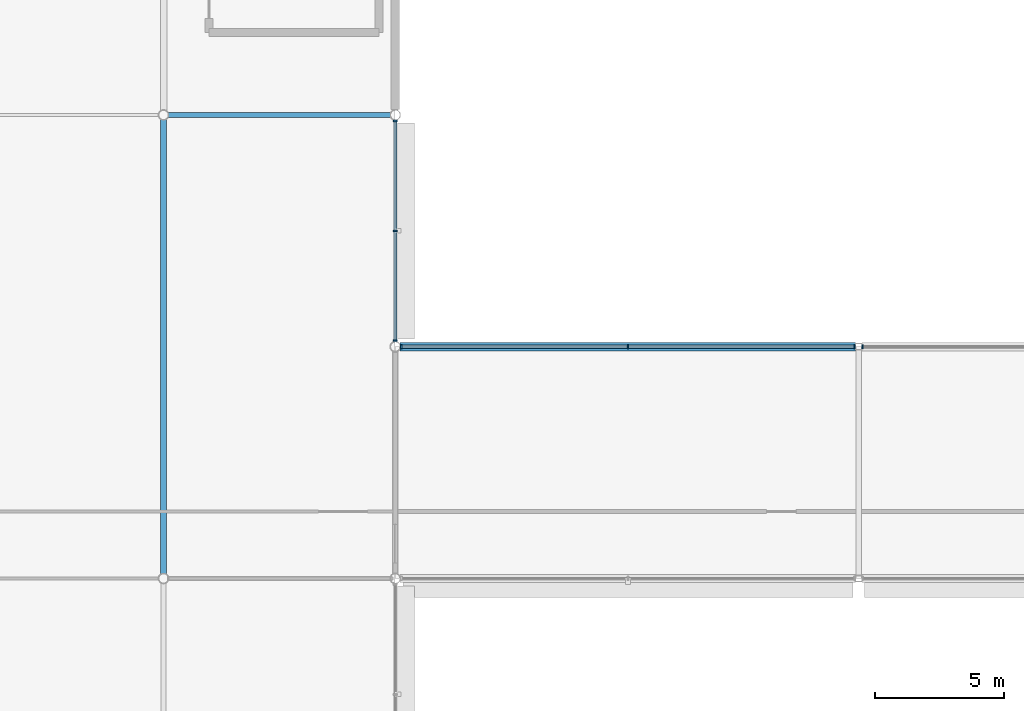
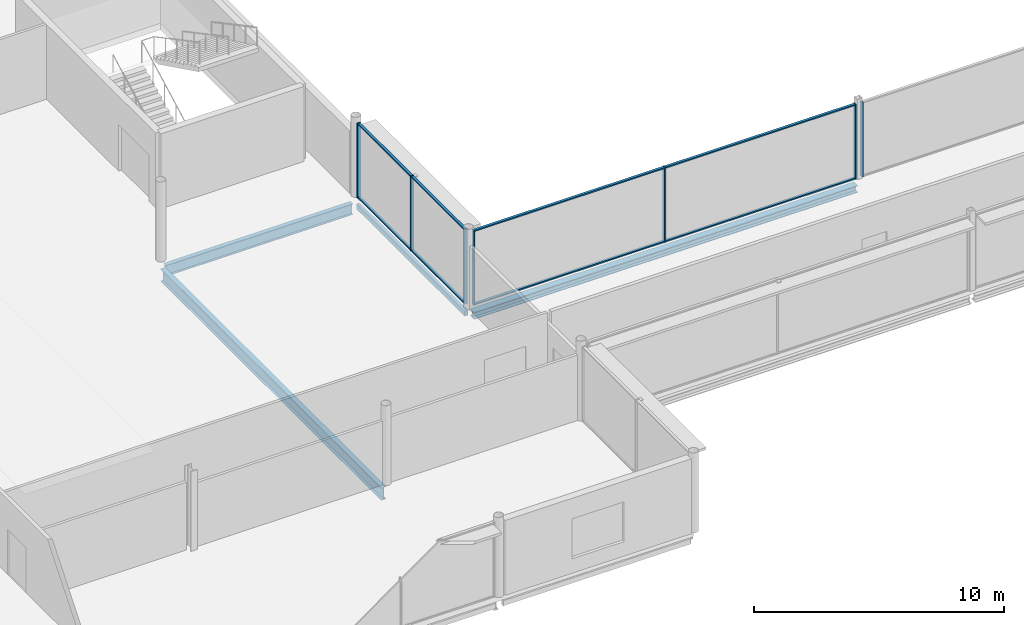
# One storey, part 21 of 96: 15 members, 4 beams, 3 elements without a shape of their own.
"""IFC4 building model written with IfcOpenShell, lengths in metres."""

from ifc_helpers import new_model, si_unit, direction, frame, origin, origin_2d, place, context, subcontext, project, spatial, rectangle, hollow_rectangle, i_section, extrude, material, layer, layer_set, material_profile, profile_set, type_object, element, aggregate, save


model = new_model("IFC4")

# Units and contexts
model_context = context("Model", 3, precision=1e-05, world=origin(), true_north=direction((0.0, 1.0)))
body_context = subcontext(model_context, "Body", "Model", "MODEL_VIEW")
ifc_project = project(units=[si_unit("LENGTHUNIT", "METRE"), si_unit("AREAUNIT", "SQUARE_METRE"), si_unit("VOLUMEUNIT", "CUBIC_METRE"), si_unit("PLANEANGLEUNIT", "RADIAN"), si_unit("MASSUNIT", "GRAM", prefix="KILO")], contexts=[model_context])

# Site, building, storey
site_placement = place(None, origin())
site = spatial("IfcSite", under=ifc_project, at=site_placement, CompositionType="ELEMENT")
building_placement = place(site_placement, origin())
building = spatial("IfcBuilding", under=site, at=building_placement, Name="Kisiwana Market Hall", CompositionType="ELEMENT")
storey_placement = place(building_placement, frame((0.0, 0.0, 25.5)))
storey = spatial("IfcBuildingStorey", under=building, at=storey_placement, Name="L05", CompositionType="ELEMENT", Elevation=25.5)

# Beams
ifc_material_1 = material(Name="Steel S355", Category="steel")
ifc_material_profile_1 = material_profile(ifc_material_1, i_section(OverallWidth=0.209228515625, OverallDepth=0.533203125, WebThickness=0.010009765625, FlangeThickness=0.015625, at=origin_2d()), Name="UB 533x210x92")
ifc_profile_set_1 = profile_set([ifc_material_profile_1], Name="Steel S355")
beam_type_1 = type_object("IfcBeamType", Name="BM-GIRD-UB533", PredefinedType="BEAM", material=ifc_profile_set_1)
beam_1_placement = place(storey_placement, frame((36.182373046875, 36.0, -0.58154296875), z_axis=(1.0, 0.0, 0.0), x_axis=(0.0, 1.0, 0.0)))
element("IfcBeam", 1, at=beam_1_placement, inside=storey, type_object=beam_type_1, Name="Floor beam B-1626", PredefinedType="BEAM", context=body_context, shape_type="SweptSolid", body=[
    extrude(i_section(OverallWidth=0.209228515625, OverallDepth=0.533203125, WebThickness=0.010009765625, FlangeThickness=0.015625, at=origin_2d()), origin(), (0.0, 0.0, 1.0), 8.63525390625),
])
ifc_material_2 = material(Name="Steel S355", Category="steel")
ifc_material_profile_2 = material_profile(ifc_material_2, i_section(OverallWidth=0.22900390625, OverallDepth=0.6123046875, WebThickness=0.011962890625, FlangeThickness=0.01953125, at=origin_2d()), Name="UB 610x229x125")
ifc_profile_set_2 = profile_set([ifc_material_profile_2], Name="Steel S355")
beam_type_2 = type_object("IfcBeamType", Name="BM-GIRD-UB610H", PredefinedType="BEAM", material=ifc_profile_set_2)
beam_2_placement = place(storey_placement, frame((36.0, 18.18017578125, -0.62109375), z_axis=(0.0, 1.0, 0.0), x_axis=(-1.0, 0.0, 0.0)))
element("IfcBeam", 2, at=beam_2_placement, inside=storey, type_object=beam_type_2, Name="Primary girder B-1532", PredefinedType="BEAM", context=body_context, shape_type="SweptSolid", body=[
    extrude(i_section(OverallWidth=0.22900390625, OverallDepth=0.6123046875, WebThickness=0.011962890625, FlangeThickness=0.01953125, at=origin_2d()), origin(), (0.0, 0.0, 1.0), 17.6396484375),
])
ifc_material_3 = material(Name="Steel S355", Category="steel")
ifc_material_profile_3 = material_profile(ifc_material_3, i_section(OverallWidth=0.314453125, OverallDepth=0.33984375, WebThickness=0.01904296875, FlangeThickness=0.031494140625, at=origin_2d()), Name="UC 305x305x198")
ifc_profile_set_3 = profile_set([ifc_material_profile_3], Name="Steel S355")
beam_type_3 = type_object("IfcBeamType", Name="BM-SKYBR-CHORD", PredefinedType="BEAM", material=ifc_profile_set_3)
beam_3_placement = place(storey_placement, frame((45.182373046875, 27.0, -0.43505859375), z_axis=(1.0, 0.0, 0.0), x_axis=(0.0, 1.0, 0.0)))
element("IfcBeam", 3, at=beam_3_placement, inside=storey, type_object=beam_type_3, Name="Floor beam B-1617", PredefinedType="BEAM", context=body_context, shape_type="SweptSolid", body=[
    extrude(i_section(OverallWidth=0.314453125, OverallDepth=0.33984375, WebThickness=0.01904296875, FlangeThickness=0.031494140625, at=origin_2d()), origin(), (0.0, 0.0, 1.0), 17.696533203125),
])
ifc_material_4 = material(Name="Steel S355", Category="steel")
ifc_material_profile_4 = material_profile(ifc_material_4, hollow_rectangle(XDim=0.14990234375, YDim=0.25, WallThickness=0.010009765625, at=origin_2d()), Name="RHS 250x150x10.0")
ifc_profile_set_4 = profile_set([ifc_material_profile_4], Name="Steel S355")
beam_type_4 = type_object("IfcBeamType", Name="BM-SPAN-RHS250", PredefinedType="SPANDREL", material=ifc_profile_set_4)
beam_4_placement = place(storey_placement, frame((45.0, 27.18017578125, -0.43994140625), z_axis=(0.0, 1.0, 0.0), x_axis=(-1.0, 0.0, 0.0)))
element("IfcBeam", 4, at=beam_4_placement, inside=storey, type_object=beam_type_4, Name="Floor beam B-1678", PredefinedType="SPANDREL", context=body_context, shape_type="SweptSolid", body=[
    extrude(hollow_rectangle(XDim=0.14990234375, YDim=0.25, WallThickness=0.010009765625, at=origin_2d()), origin(), (0.0, 0.0, 1.0), 8.6396484375),
])

# Curtain wall, members
ifc_material_5 = material(Name="Double-glazed solar-control low-E IGU", Category="glass")
ifc_layer = layer(ifc_material_5, 0.159912109375)
ifc_layer_set = layer_set([ifc_layer], Name="CW-ZNA-EW-8200")
curtain_wall_type = type_object("IfcCurtainWallType", Name="CW-ZNA-EW-8200", PredefinedType="USERDEFINED", material=ifc_layer_set)
curtain_wall_1_placement = place(storey_placement, origin())
curtain_wall_1 = element("IfcCurtainWall", 5, at=curtain_wall_1_placement, inside=storey, type_object=curtain_wall_type, Name="Unitised curtain wall CW-138 (L05)", ObjectType="UNITISED CURTAIN WALL", PredefinedType="USERDEFINED")
ifc_material_6 = material(Name="Aluminium alloy 6063-T6", Category="aluminium")
ifc_material_profile_5 = material_profile(ifc_material_6, rectangle(XDim=0.06005859375, YDim=0.159912109375, at=origin_2d()), Name="ALU MULLION 60x160")
ifc_profile_set_5 = profile_set([ifc_material_profile_5], Name="Aluminium alloy 6063-T6")
member_type_1 = type_object("IfcMemberType", Name="CW-MULL-60x160", PredefinedType="MULLION", material=ifc_profile_set_5)
member_1_placement = place(storey_placement, frame((45.233154296875, 27.0, 0.0), z_axis=(0.0, 0.0, 1.0), x_axis=(1.0, 0.0, 0.0)))
member_1 = element("IfcMember", 6, at=member_1_placement, type_object=member_type_1, Name="CW-138 mullion 1", PredefinedType="MULLION", context=body_context, shape_type="SweptSolid", body=[
    extrude(rectangle(XDim=0.06005859375, YDim=0.159912109375, at=origin_2d()), origin(), (0.0, 0.0, 1.0), 3.655029296875),
])
member_2_placement = place(storey_placement, frame((54.0390625, 27.0, 0.0), z_axis=(0.0, 0.0, 1.0), x_axis=(1.0, 0.0, 0.0)))
member_2 = element("IfcMember", 7, at=member_2_placement, type_object=member_type_1, Name="CW-138 mullion 2", PredefinedType="MULLION", context=body_context, shape_type="SweptSolid", body=[
    extrude(rectangle(XDim=0.06005859375, YDim=0.159912109375, at=origin_2d()), origin(), (0.0, 0.0, 1.0), 3.655029296875),
])
member_3_placement = place(storey_placement, frame((62.844970703125, 27.0, 0.0), z_axis=(0.0, 0.0, 1.0), x_axis=(1.0, 0.0, 0.0)))
member_3 = element("IfcMember", 8, at=member_3_placement, type_object=member_type_1, Name="CW-138 mullion 3", PredefinedType="MULLION", context=body_context, shape_type="SweptSolid", body=[
    extrude(rectangle(XDim=0.06005859375, YDim=0.159912109375, at=origin_2d()), origin(), (0.0, 0.0, 1.0), 3.655029296875),
])

# Curtain wall, member
curtain_wall_2_placement = place(storey_placement, origin())
curtain_wall_2 = element("IfcCurtainWall", 9, at=curtain_wall_2_placement, inside=storey, type_object=curtain_wall_type, Name="Unitised curtain wall CW-139 (L05)", ObjectType="UNITISED CURTAIN WALL", PredefinedType="USERDEFINED")
member_4_placement = place(storey_placement, frame((63.155029296875, 27.0, 0.0), z_axis=(0.0, 0.0, 1.0), x_axis=(1.0, 0.0, 0.0)))
member_4 = element("IfcMember", 10, at=member_4_placement, type_object=member_type_1, Name="CW-139 mullion 1", PredefinedType="MULLION", context=body_context, shape_type="SweptSolid", body=[
    extrude(rectangle(XDim=0.06005859375, YDim=0.159912109375, at=origin_2d()), origin(), (0.0, 0.0, 1.0), 3.655029296875),
])
aggregate(curtain_wall_2, [member_4])

# Curtain wall, members
curtain_wall_3_placement = place(storey_placement, origin())
curtain_wall_3 = element("IfcCurtainWall", 11, at=curtain_wall_3_placement, inside=storey, type_object=curtain_wall_type, Name="Unitised curtain wall CW-161 (L05)", ObjectType="UNITISED CURTAIN WALL", PredefinedType="USERDEFINED")
member_5_placement = place(storey_placement, frame((45.0, 27.233154296875, 0.0), z_axis=(0.0, 0.0, 1.0), x_axis=(0.0, 1.0, 0.0)))
member_5 = element("IfcMember", 12, at=member_5_placement, type_object=member_type_1, Name="CW-161 mullion 1", PredefinedType="MULLION", context=body_context, shape_type="SweptSolid", body=[
    extrude(rectangle(XDim=0.06005859375, YDim=0.159912109375, at=origin_2d()), origin(), (0.0, 0.0, 1.0), 3.655029296875),
])
member_6_placement = place(storey_placement, frame((45.0, 31.5, 0.0), z_axis=(0.0, 0.0, 1.0), x_axis=(0.0, 1.0, 0.0)))
member_6 = element("IfcMember", 13, at=member_6_placement, type_object=member_type_1, Name="CW-161 mullion 2", PredefinedType="MULLION", context=body_context, shape_type="SweptSolid", body=[
    extrude(rectangle(XDim=0.06005859375, YDim=0.159912109375, at=origin_2d()), origin(), (0.0, 0.0, 1.0), 3.655029296875),
])
member_7_placement = place(storey_placement, frame((45.0, 35.766845703125, 0.0), z_axis=(0.0, 0.0, 1.0), x_axis=(0.0, 1.0, 0.0)))
member_7 = element("IfcMember", 14, at=member_7_placement, type_object=member_type_1, Name="CW-161 mullion 3", PredefinedType="MULLION", context=body_context, shape_type="SweptSolid", body=[
    extrude(rectangle(XDim=0.06005859375, YDim=0.159912109375, at=origin_2d()), origin(), (0.0, 0.0, 1.0), 3.655029296875),
])

# Member
ifc_material_7 = material(Name="Aluminium alloy 6063-T6", Category="aluminium")
ifc_material_profile_6 = material_profile(ifc_material_7, rectangle(XDim=0.1201171875, YDim=0.06005859375, at=origin_2d()), Name="ALU TRANSOM 60x120")
ifc_profile_set_6 = profile_set([ifc_material_profile_6], Name="Aluminium alloy 6063-T6")
member_type_2 = type_object("IfcMemberType", Name="CW-TRAN-60x120", PredefinedType="USERDEFINED", material=ifc_profile_set_6)
member_8_placement = place(storey_placement, frame((45.26318359375, 27.0, 0.030029296875), z_axis=(1.0, 0.0, 0.0), x_axis=(0.0, 1.0, 0.0)))
member_8 = element("IfcMember", 15, at=member_8_placement, type_object=member_type_2, Name="CW-138 transom 1.1", ObjectType="TRANSOM", PredefinedType="USERDEFINED", context=body_context, shape_type="SweptSolid", body=[
    extrude(rectangle(XDim=0.1201171875, YDim=0.06005859375, at=origin_2d()), origin(), (0.0, 0.0, 1.0), 8.745849609375),
])

member_9_placement = place(storey_placement, frame((45.26318359375, 27.0, 3.625), z_axis=(1.0, 0.0, 0.0), x_axis=(0.0, 1.0, 0.0)))
member_9 = element("IfcMember", 16, at=member_9_placement, type_object=member_type_2, Name="CW-138 transom 1.2", ObjectType="TRANSOM", PredefinedType="USERDEFINED", context=body_context, shape_type="SweptSolid", body=[
    extrude(rectangle(XDim=0.1201171875, YDim=0.06005859375, at=origin_2d()), origin(), (0.0, 0.0, 1.0), 8.745849609375),
])

member_10_placement = place(storey_placement, frame((54.069091796875, 27.0, 0.030029296875), z_axis=(1.0, 0.0, 0.0), x_axis=(0.0, 1.0, 0.0)))
member_10 = element("IfcMember", 17, at=member_10_placement, type_object=member_type_2, Name="CW-138 transom 2.1", ObjectType="TRANSOM", PredefinedType="USERDEFINED", context=body_context, shape_type="SweptSolid", body=[
    extrude(rectangle(XDim=0.1201171875, YDim=0.06005859375, at=origin_2d()), origin(), (0.0, 0.0, 1.0), 8.745849609375),
])

member_11_placement = place(storey_placement, frame((54.069091796875, 27.0, 3.625), z_axis=(1.0, 0.0, 0.0), x_axis=(0.0, 1.0, 0.0)))
member_11 = element("IfcMember", 18, at=member_11_placement, type_object=member_type_2, Name="CW-138 transom 2.2", ObjectType="TRANSOM", PredefinedType="USERDEFINED", context=body_context, shape_type="SweptSolid", body=[
    extrude(rectangle(XDim=0.1201171875, YDim=0.06005859375, at=origin_2d()), origin(), (0.0, 0.0, 1.0), 8.745849609375),
])

aggregate(curtain_wall_1, [member_1, member_2, member_3, member_8, member_9, member_10, member_11])

member_12_placement = place(storey_placement, frame((45.0, 27.26318359375, 0.030029296875), z_axis=(0.0, 1.0, 0.0), x_axis=(-1.0, 0.0, 0.0)))
member_12 = element("IfcMember", 19, at=member_12_placement, type_object=member_type_2, Name="CW-161 transom 1.1", ObjectType="TRANSOM", PredefinedType="USERDEFINED", context=body_context, shape_type="SweptSolid", body=[
    extrude(rectangle(XDim=0.1201171875, YDim=0.06005859375, at=origin_2d()), origin(), (0.0, 0.0, 1.0), 4.206787109375),
])

member_13_placement = place(storey_placement, frame((45.0, 27.26318359375, 3.625), z_axis=(0.0, 1.0, 0.0), x_axis=(-1.0, 0.0, 0.0)))
member_13 = element("IfcMember", 20, at=member_13_placement, type_object=member_type_2, Name="CW-161 transom 1.2", ObjectType="TRANSOM", PredefinedType="USERDEFINED", context=body_context, shape_type="SweptSolid", body=[
    extrude(rectangle(XDim=0.1201171875, YDim=0.06005859375, at=origin_2d()), origin(), (0.0, 0.0, 1.0), 4.206787109375),
])

member_14_placement = place(storey_placement, frame((45.0, 31.530029296875, 0.030029296875), z_axis=(0.0, 1.0, 0.0), x_axis=(-1.0, 0.0, 0.0)))
member_14 = element("IfcMember", 21, at=member_14_placement, type_object=member_type_2, Name="CW-161 transom 2.1", ObjectType="TRANSOM", PredefinedType="USERDEFINED", context=body_context, shape_type="SweptSolid", body=[
    extrude(rectangle(XDim=0.1201171875, YDim=0.06005859375, at=origin_2d()), origin(), (0.0, 0.0, 1.0), 4.206787109375),
])

member_15_placement = place(storey_placement, frame((45.0, 31.530029296875, 3.625), z_axis=(0.0, 1.0, 0.0), x_axis=(-1.0, 0.0, 0.0)))
member_15 = element("IfcMember", 22, at=member_15_placement, type_object=member_type_2, Name="CW-161 transom 2.2", ObjectType="TRANSOM", PredefinedType="USERDEFINED", context=body_context, shape_type="SweptSolid", body=[
    extrude(rectangle(XDim=0.1201171875, YDim=0.06005859375, at=origin_2d()), origin(), (0.0, 0.0, 1.0), 4.206787109375),
])

aggregate(curtain_wall_3, [member_5, member_6, member_7, member_12, member_13, member_14, member_15])

save(model, "model.ifc")
